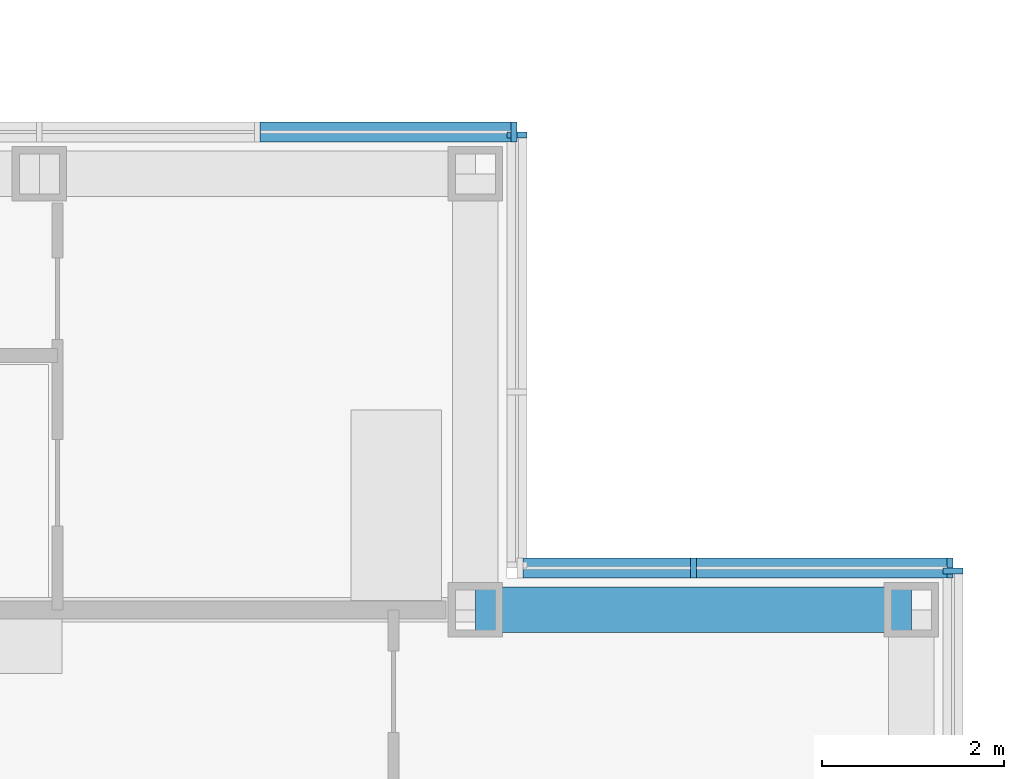
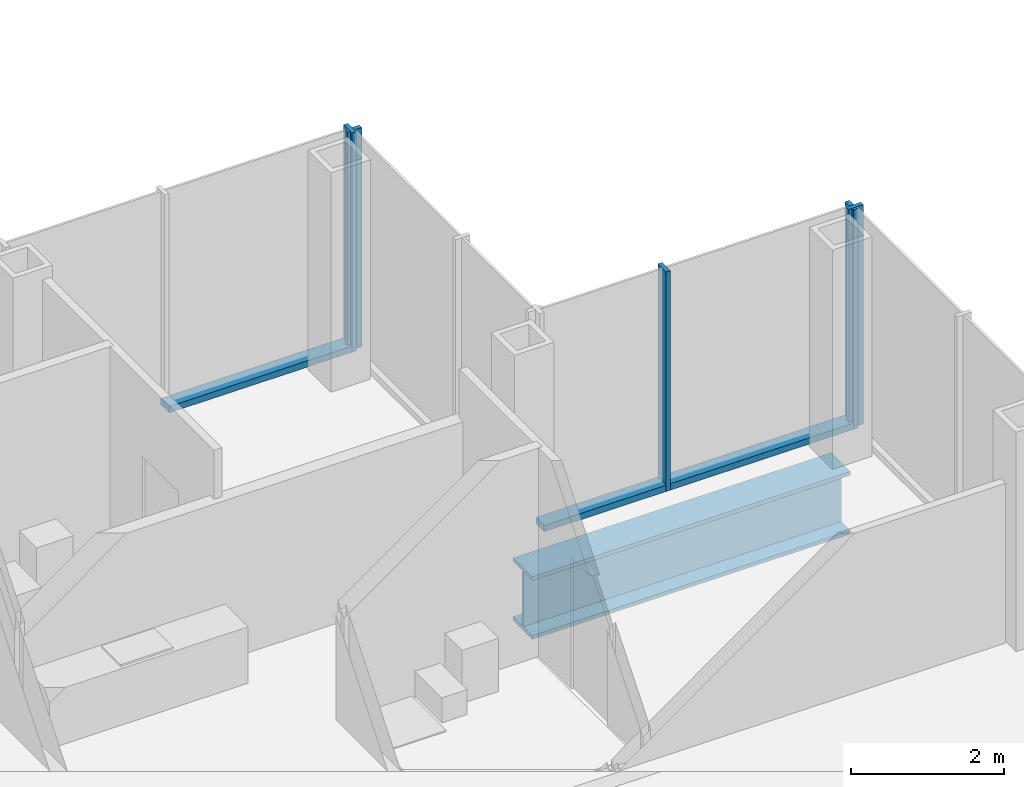
# One storey, part 9 of 19: 8 members, 1 beam, 4 elements without a shape of their own.
"""IFC4 building model written with IfcOpenShell, lengths in metres."""

from ifc_helpers import new_model, si_unit, direction, frame, origin, origin_2d, place, context, subcontext, project, spatial, rectangle, i_section, extrude, material, material_profile, profile_set, type_object, element, aggregate, save


model = new_model("IFC4")

# Units and contexts
model_context = context("Model", 3, precision=1e-05, world=origin(), true_north=direction((0.0, 1.0)))
body_context = subcontext(model_context, "Body", "Model", "MODEL_VIEW")
ifc_project = project(units=[si_unit("LENGTHUNIT", "METRE"), si_unit("AREAUNIT", "SQUARE_METRE"), si_unit("VOLUMEUNIT", "CUBIC_METRE"), si_unit("PLANEANGLEUNIT", "RADIAN"), si_unit("MASSUNIT", "GRAM", prefix="KILO")], contexts=[model_context])

# Site, building, storey
site_placement = place(None, origin())
site = spatial("IfcSite", under=ifc_project, at=site_placement, CompositionType="ELEMENT")
building_placement = place(site_placement, origin())
building = spatial("IfcBuilding", under=site, at=building_placement, Name="Kvirike Care Tower", CompositionType="ELEMENT")
storey_placement = place(building_placement, frame((0.0, 0.0, 129.5)))
storey = spatial("IfcBuildingStorey", under=building, at=storey_placement, Name="L35", CompositionType="ELEMENT", Elevation=129.5)

# Curtain wall, member
ifc_material_1 = material(Name="Anodised aluminium stick system", Category="aluminium")
curtain_wall_type = type_object("IfcCurtainWallType", Name="CW-B STICK CURTAIN WALL", PredefinedType="NOTDEFINED", material=ifc_material_1)
curtain_wall_1_placement = place(storey_placement, origin())
curtain_wall_1 = element("IfcCurtainWall", 1, at=curtain_wall_1_placement, inside=storey, type_object=curtain_wall_type, Name="Curtain wall L35 face 1", PredefinedType="NOTDEFINED")
ifc_material_2 = material(Name="Bronze anodised aluminium mullion", Category="aluminium")
ifc_material_profile_1 = material_profile(ifc_material_2, rectangle(XDim=0.06494140625, YDim=0.219970703125, at=origin_2d()), Name="CW-B MULLION 65x220")
ifc_profile_set_1 = profile_set([ifc_material_profile_1], Name="Bronze anodised aluminium mullion")
member_type_1 = type_object("IfcMemberType", Name="CW-B MULLION 65x220", PredefinedType="MULLION", material=ifc_profile_set_1)
member_1_placement = place(storey_placement, frame((43.659912109375, 38.827392578125, 0.0), z_axis=(0.0, 0.0, 1.0), x_axis=(0.0, 1.0, 0.0)))
member_1 = element("IfcMember", 2, at=member_1_placement, type_object=member_type_1, Name="CW-B mullion L35 face 1.9", PredefinedType="MULLION", context=body_context, shape_type="SweptSolid", body=[
    extrude(rectangle(XDim=0.06494140625, YDim=0.219970703125, at=origin_2d()), origin(), (0.0, 0.0, 1.0), 3.5),
])
aggregate(curtain_wall_1, [member_1])

# Curtain wall, members
curtain_wall_2_placement = place(storey_placement, origin())
curtain_wall_2 = element("IfcCurtainWall", 3, at=curtain_wall_2_placement, inside=storey, type_object=curtain_wall_type, Name="Curtain wall L35 face 2", PredefinedType="NOTDEFINED")
member_2_placement = place(storey_placement, frame((43.62744140625, 38.860107421875, 0.0), z_axis=(0.0, 0.0, 1.0), x_axis=(-1.0, 0.0, 0.0)))
member_2 = element("IfcMember", 4, at=member_2_placement, type_object=member_type_1, Name="CW-B mullion L35 face 2.1", PredefinedType="MULLION", context=body_context, shape_type="SweptSolid", body=[
    extrude(rectangle(XDim=0.06494140625, YDim=0.219970703125, at=origin_2d()), origin(), (0.0, 0.0, 1.0), 3.5),
])
member_3_placement = place(storey_placement, frame((40.800048828125, 38.860107421875, 0.0), z_axis=(0.0, 0.0, 1.0), x_axis=(-1.0, 0.0, 0.0)))
member_3 = element("IfcMember", 5, at=member_3_placement, type_object=member_type_1, Name="CW-B mullion L35 face 2.2", PredefinedType="MULLION", context=body_context, shape_type="SweptSolid", body=[
    extrude(rectangle(XDim=0.06494140625, YDim=0.219970703125, at=origin_2d()), origin(), (0.0, 0.0, 1.0), 3.5),
])

# Curtain wall, member
curtain_wall_3_placement = place(storey_placement, origin())
curtain_wall_3 = element("IfcCurtainWall", 6, at=curtain_wall_3_placement, inside=storey, type_object=curtain_wall_type, Name="Curtain wall L35 face 3", PredefinedType="NOTDEFINED")
member_4_placement = place(storey_placement, frame((38.860107421875, 43.62744140625, 0.0), z_axis=(0.0, 0.0, 1.0), x_axis=(0.0, 1.0, 0.0)))
member_4 = element("IfcMember", 7, at=member_4_placement, type_object=member_type_1, Name="CW-B mullion L35 face 3.3", PredefinedType="MULLION", context=body_context, shape_type="SweptSolid", body=[
    extrude(rectangle(XDim=0.06494140625, YDim=0.219970703125, at=origin_2d()), origin(), (0.0, 0.0, 1.0), 3.5),
])
aggregate(curtain_wall_3, [member_4])

curtain_wall_4_placement = place(storey_placement, origin())
curtain_wall_4 = element("IfcCurtainWall", 8, at=curtain_wall_4_placement, inside=storey, type_object=curtain_wall_type, Name="Curtain wall L35 face 4", PredefinedType="NOTDEFINED")
member_5_placement = place(storey_placement, frame((38.827392578125, 43.659912109375, 0.0), z_axis=(0.0, 0.0, 1.0), x_axis=(-1.0, 0.0, 0.0)))
member_5 = element("IfcMember", 9, at=member_5_placement, type_object=member_type_1, Name="CW-B mullion L35 face 4.1", PredefinedType="MULLION", context=body_context, shape_type="SweptSolid", body=[
    extrude(rectangle(XDim=0.06494140625, YDim=0.219970703125, at=origin_2d()), origin(), (0.0, 0.0, 1.0), 3.5),
])

# Member
ifc_material_3 = material(Name="Bronze anodised aluminium transom", Category="aluminium")
ifc_material_profile_2 = material_profile(ifc_material_3, rectangle(XDim=0.219970703125, YDim=0.10009765625, at=origin_2d()), Name="CW-B TRANSOM 220x100")
ifc_profile_set_2 = profile_set([ifc_material_profile_2], Name="Bronze anodised aluminium transom")
member_type_2 = type_object("IfcMemberType", Name="CW-B TRANSOM 220x100", PredefinedType="USERDEFINED", material=ifc_profile_set_2)
member_6_placement = place(storey_placement, frame((43.594970703125, 38.860107421875, 0.050048828125), z_axis=(-1.0, 0.0, 0.0), x_axis=(0.0, -1.0, 0.0)))
member_6 = element("IfcMember", 10, at=member_6_placement, type_object=member_type_2, Name="CW-B sill transom L35 face 2.1", ObjectType="TRANSOM", PredefinedType="USERDEFINED", context=body_context, shape_type="SweptSolid", body=[
    extrude(rectangle(XDim=0.219970703125, YDim=0.10009765625, at=origin_2d()), origin(), (0.0, 0.0, 1.0), 2.762451171875),
])

member_7_placement = place(storey_placement, frame((40.767578125, 38.860107421875, 0.050048828125), z_axis=(-1.0, 0.0, 0.0), x_axis=(0.0, -1.0, 0.0)))
member_7 = element("IfcMember", 11, at=member_7_placement, type_object=member_type_2, Name="CW-B sill transom L35 face 2.2", ObjectType="TRANSOM", PredefinedType="USERDEFINED", context=body_context, shape_type="SweptSolid", body=[
    extrude(rectangle(XDim=0.219970703125, YDim=0.10009765625, at=origin_2d()), origin(), (0.0, 0.0, 1.0), 1.842529296875),
])

aggregate(curtain_wall_2, [member_2, member_3, member_6, member_7])

member_8_placement = place(storey_placement, frame((38.794921875, 43.659912109375, 0.050048828125), z_axis=(-1.0, 0.0, 0.0), x_axis=(0.0, -1.0, 0.0)))
member_8 = element("IfcMember", 12, at=member_8_placement, type_object=member_type_2, Name="CW-B sill transom L35 face 4.1", ObjectType="TRANSOM", PredefinedType="USERDEFINED", context=body_context, shape_type="SweptSolid", body=[
    extrude(rectangle(XDim=0.219970703125, YDim=0.10009765625, at=origin_2d()), origin(), (0.0, 0.0, 1.0), 2.762451171875),
])

aggregate(curtain_wall_4, [member_5, member_8])

# Beam
ifc_material_4 = material(Name="Steel S355", Category="steel")
ifc_material_profile_3 = material_profile(ifc_material_4, i_section(OverallWidth=0.5, OverallDepth=1.0, WebThickness=0.030029296875, FlangeThickness=0.06005859375, at=origin_2d()), Name="PG 1000x500x30x60")
ifc_profile_set_3 = profile_set([ifc_material_profile_3], Name="Steel S355")
beam_type = type_object("IfcBeamType", Name="SPANDREL PG 1000x500x30x60", PredefinedType="SPANDREL", material=ifc_profile_set_3)
beam_placement = place(storey_placement, frame((38.39990234375, 38.39990234375, -0.669921875), z_axis=(1.0, 0.0, 0.0), x_axis=(0.0, 1.0, 0.0)))
element("IfcBeam", 13, at=beam_placement, inside=storey, type_object=beam_type, Name="Spandrel J11-J12 L35", PredefinedType="SPANDREL", context=body_context, shape_type="SweptSolid", body=[
    extrude(i_section(OverallWidth=0.5, OverallDepth=1.0, WebThickness=0.030029296875, FlangeThickness=0.06005859375, at=origin_2d()), origin(), (0.0, 0.0, 1.0), 4.800048828125),
])

save(model, "model.ifc")
